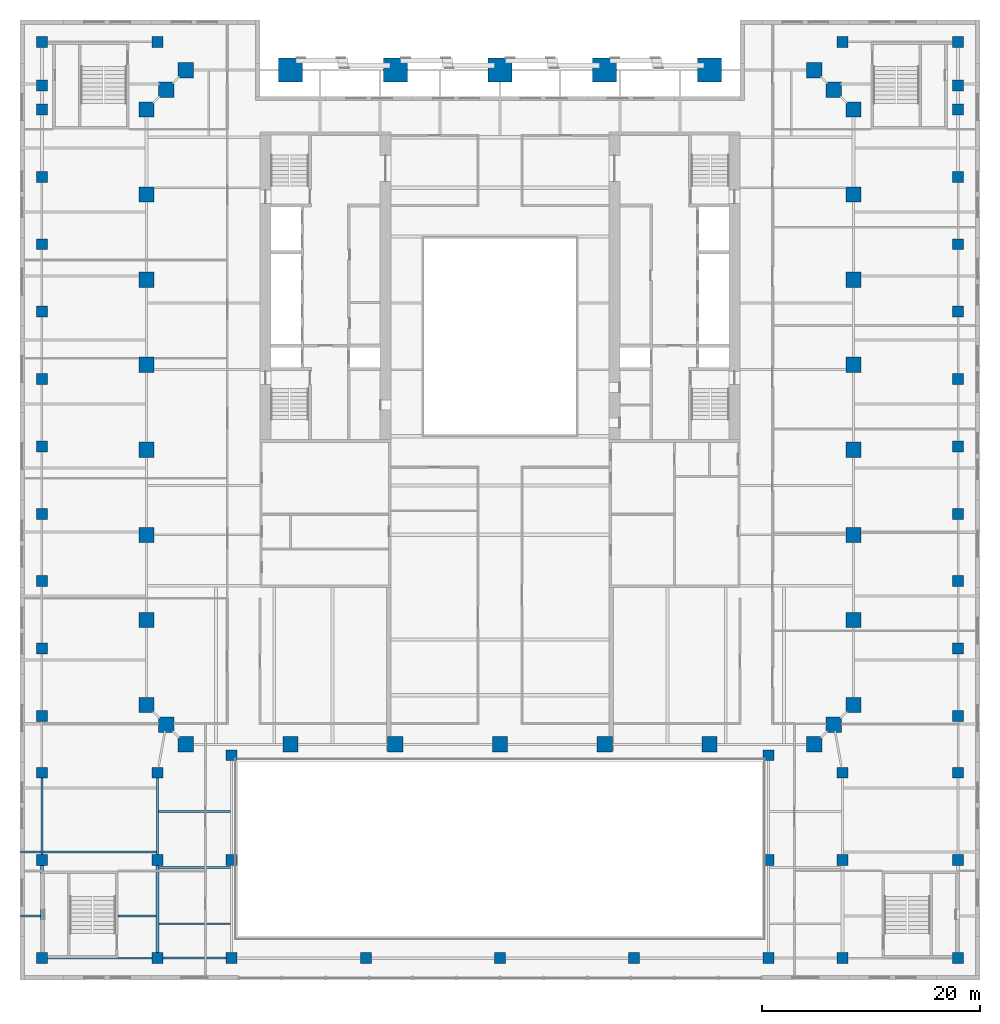
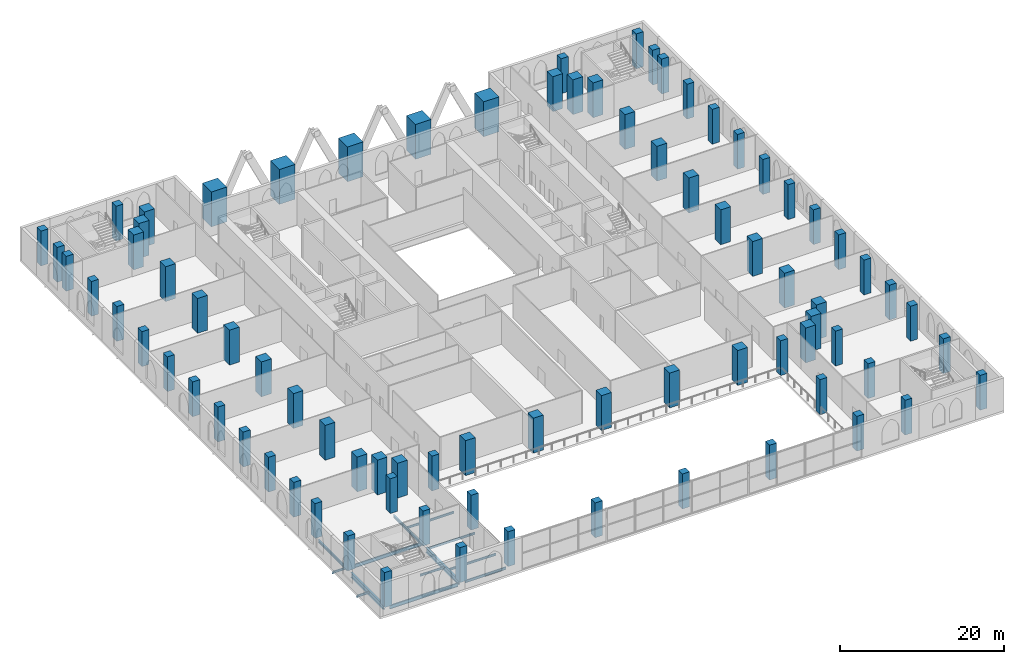
# One storey, part 1 of 22: 81 columns, 13 beams.
"""IFC4 building model written with IfcOpenShell, lengths in metres."""

from ifc_helpers import new_model, si_unit, direction, frame, origin, origin_2d, place, context, subcontext, project, spatial, rectangle, i_section, extrude, material, material_profile, profile_set, type_object, element, save


model = new_model("IFC4")

# Units and contexts
model_context = context("Model", 3, precision=1e-05, world=origin(), true_north=direction((0.0, 1.0)))
body_context = subcontext(model_context, "Body", "Model", "MODEL_VIEW")
ifc_project = project(units=[si_unit("LENGTHUNIT", "METRE"), si_unit("AREAUNIT", "SQUARE_METRE"), si_unit("VOLUMEUNIT", "CUBIC_METRE"), si_unit("PLANEANGLEUNIT", "RADIAN"), si_unit("MASSUNIT", "GRAM", prefix="KILO")], contexts=[model_context])

# Site, building, storey
site_placement = place(None, origin())
site = spatial("IfcSite", under=ifc_project, at=site_placement, CompositionType="ELEMENT")
building_placement = place(site_placement, origin())
building = spatial("IfcBuilding", under=site, at=building_placement, Name="Ogive Exchange Tower", CompositionType="ELEMENT")
storey_placement = place(building_placement, frame((0.0, 0.0, 14.0)))
storey = spatial("IfcBuildingStorey", under=building, at=storey_placement, Name="L02", CompositionType="ELEMENT", Elevation=14.0)

# Columns
ifc_material_1 = material(Name="Concrete C70/85", Category="concrete")
ifc_material_profile_1 = material_profile(ifc_material_1, rectangle(XDim=1.0, YDim=1.0, at=origin_2d()), Name="RC 1000x1000")
ifc_profile_set_1 = profile_set([ifc_material_profile_1], Name="Concrete C70/85")
column_type_1 = type_object("IfcColumnType", Name="RC column 1000x1000", PredefinedType="COLUMN", material=ifc_profile_set_1)
for number, where, z_axis, x_axis, name in (
    (1, (-42.0, -50.0, 0.0), (0.0, 0.0, 1.0), (1.0, 0.0, 0.0), "Podium column"),
    (2, (-31.39990234375, -50.0, 0.0), (0.0, 0.0, 1.0), (1.0, 0.0, 0.0), "Podium column"),
    (3, (-24.60009765625, -50.0, 0.0), (0.0, 0.0, 1.0), (1.0, 0.0, 0.0), "Podium column"),
    (4, (-12.300048828125, -50.0, 0.0), (0.0, 0.0, 1.0), (1.0, 0.0, 0.0), "Podium column"),
    (5, (0.0, -50.0, 0.0), (0.0, 0.0, 1.0), (1.0, 0.0, 0.0), "Podium column"),
    (6, (12.300048828125, -50.0, 0.0), (0.0, 0.0, 1.0), (1.0, 0.0, 0.0), "Podium column"),
    (7, (24.60009765625, -50.0, 0.0), (0.0, 0.0, 1.0), (1.0, 0.0, 0.0), "Podium column"),
    (8, (31.39990234375, -50.0, 0.0), (0.0, 0.0, 1.0), (1.0, 0.0, 0.0), "Podium column"),
    (9, (42.0, -50.0, 0.0), (0.0, 0.0, 1.0), (1.0, 0.0, 0.0), "Podium column"),
    (10, (-42.0, -41.0, 0.0), (0.0, 0.0, 1.0), (1.0, 0.0, 0.0), "Podium column"),
    (11, (-31.39990234375, -41.0, 0.0), (0.0, 0.0, 1.0), (1.0, 0.0, 0.0), "Podium column"),
    (12, (-24.60009765625, -41.0, 0.0), (0.0, 0.0, 1.0), (1.0, 0.0, 0.0), "Podium column"),
    (13, (24.60009765625, -41.0, 0.0), (0.0, 0.0, 1.0), (1.0, 0.0, 0.0), "Podium column"),
    (14, (31.39990234375, -41.0, 0.0), (0.0, 0.0, 1.0), (1.0, 0.0, 0.0), "Podium column"),
    (15, (42.0, -41.0, 0.0), (0.0, 0.0, 1.0), (1.0, 0.0, 0.0), "Podium column"),
    (16, (-42.0, -33.0, 0.0), (0.0, 0.0, 1.0), (1.0, 0.0, 0.0), "Podium column"),
    (17, (-31.39990234375, -33.0, 0.0), (0.0, 0.0, 1.0), (1.0, 0.0, 0.0), "Podium column"),
    (18, (31.39990234375, -33.0, 0.0), (0.0, 0.0, 1.0), (1.0, 0.0, 0.0), "Podium column"),
    (19, (42.0, -33.0, 0.0), (0.0, 0.0, 1.0), (1.0, 0.0, 0.0), "Podium column"),
    (20, (-24.60009765625, -31.39990234375, 0.0), (0.0, 0.0, 1.0), (1.0, 0.0, 0.0), "Podium column"),
    (21, (24.60009765625, -31.39990234375, 0.0), (0.0, 0.0, 1.0), (1.0, 0.0, 0.0), "Podium column"),
    (22, (-42.0, -27.800048828125, 0.0), (0.0, 0.0, 1.0), (1.0, 0.0, 0.0), "Podium column"),
    (23, (42.0, -27.800048828125, 0.0), (0.0, 0.0, 1.0), (1.0, 0.0, 0.0), "Podium column"),
    (24, (-42.0, -21.6201171875, 0.0), (0.0, 0.0, 1.0), (1.0, 0.0, 0.0), "Podium column"),
    (25, (42.0, -21.6201171875, 0.0), (0.0, 0.0, 1.0), (1.0, 0.0, 0.0), "Podium column"),
    (26, (-42.0, -15.43994140625, 0.0), (0.0, 0.0, 1.0), (1.0, 0.0, 0.0), "Podium column"),
    (27, (42.0, -15.43994140625, 0.0), (0.0, 0.0, 1.0), (1.0, 0.0, 0.0), "Podium column"),
    (28, (-42.0, -9.27001953125, 0.0), (0.0, 0.0, 1.0), (1.0, 0.0, 0.0), "Podium column"),
    (29, (42.0, -9.27001953125, 0.0), (0.0, 0.0, 1.0), (1.0, 0.0, 0.0), "Podium column"),
    (30, (-42.0, -3.090087890625, 0.0), (0.0, 0.0, 1.0), (1.0, 0.0, 0.0), "Podium column"),
    (31, (42.0, -3.090087890625, 0.0), (0.0, 0.0, 1.0), (1.0, 0.0, 0.0), "Podium column"),
    (32, (-42.0, 3.090087890625, 0.0), (0.0, 0.0, 1.0), (1.0, 0.0, 0.0), "Podium column"),
    (33, (42.0, 3.090087890625, 0.0), (0.0, 0.0, 1.0), (1.0, 0.0, 0.0), "Podium column"),
    (34, (-42.0, 9.27001953125, 0.0), (0.0, 0.0, 1.0), (1.0, 0.0, 0.0), "Podium column"),
    (35, (42.0, 9.27001953125, 0.0), (0.0, 0.0, 1.0), (1.0, 0.0, 0.0), "Podium column"),
    (36, (-42.0, 15.43994140625, 0.0), (0.0, 0.0, 1.0), (1.0, 0.0, 0.0), "Podium column"),
    (37, (42.0, 15.43994140625, 0.0), (0.0, 0.0, 1.0), (1.0, 0.0, 0.0), "Podium column"),
    (38, (-42.0, 21.6201171875, 0.0), (0.0, 0.0, 1.0), (1.0, 0.0, 0.0), "Podium column"),
    (39, (42.0, 21.6201171875, 0.0), (0.0, 0.0, 1.0), (1.0, 0.0, 0.0), "Podium column"),
    (40, (-42.0, 27.800048828125, 0.0), (0.0, 0.0, 1.0), (1.0, 0.0, 0.0), "Podium column"),
    (41, (42.0, 27.800048828125, 0.0), (0.0, 0.0, 1.0), (1.0, 0.0, 0.0), "Podium column"),
    (42, (-42.0, 30.0, 0.0), (0.0, 0.0, 1.0), (1.0, 0.0, 0.0), "Podium column"),
    (43, (42.0, 30.0, 0.0), (0.0, 0.0, 1.0), (1.0, 0.0, 0.0), "Podium column"),
    (44, (-42.0, 34.0, 0.0), (0.0, 0.0, 1.0), (1.0, 0.0, 0.0), "Podium column"),
    (45, (-31.39990234375, 34.0, 0.0), (0.0, 0.0, 1.0), (1.0, 0.0, 0.0), "Podium column"),
    (46, (31.39990234375, 34.0, 0.0), (0.0, 0.0, 1.0), (1.0, 0.0, 0.0), "Podium column"),
    (47, (42.0, 34.0, 0.0), (0.0, 0.0, 1.0), (1.0, 0.0, 0.0), "Podium column"),
):
    element("IfcColumn", number, at=place(storey_placement, frame(where, z_axis=z_axis, x_axis=x_axis)), inside=storey, type_object=column_type_1, Name=name, PredefinedType="COLUMN", context=body_context, shape_type="SweptSolid", body=[
        extrude(rectangle(XDim=1.0, YDim=1.0, at=origin_2d()), origin(), (0.0, 0.0, 1.0), 5.199951171875),
    ])
ifc_material_profile_2 = material_profile(ifc_material_1, rectangle(XDim=1.39990234375, YDim=1.39990234375, at=origin_2d()), Name="RC 1400x1400")
ifc_profile_set_2 = profile_set([ifc_material_profile_2], Name="Concrete C70/85")
column_type_2 = type_object("IfcColumnType", Name="RC column 1400x1400", PredefinedType="COLUMN", material=ifc_profile_set_2)
for number, where, z_axis, x_axis, name in (
    (48, (-28.800048828125, -30.39990234375, 0.0), (0.0, 0.0, 1.0), (1.0, 0.0, 0.0), "Leg column"),
    (49, (-19.199951171875, -30.39990234375, 0.0), (0.0, 0.0, 1.0), (1.0, 0.0, 0.0), "Leg column"),
    (50, (-9.60009765625, -30.39990234375, 0.0), (0.0, 0.0, 1.0), (1.0, 0.0, 0.0), "Leg column"),
    (51, (0.0, -30.39990234375, 0.0), (0.0, 0.0, 1.0), (1.0, 0.0, 0.0), "Leg column"),
    (52, (9.60009765625, -30.39990234375, 0.0), (0.0, 0.0, 1.0), (1.0, 0.0, 0.0), "Leg column"),
    (53, (19.199951171875, -30.39990234375, 0.0), (0.0, 0.0, 1.0), (1.0, 0.0, 0.0), "Leg column"),
    (54, (28.800048828125, -30.39990234375, 0.0), (0.0, 0.0, 1.0), (1.0, 0.0, 0.0), "Leg column"),
    (55, (-30.60009765625, -28.60009765625, 0.0), (0.0, 0.0, 1.0), (1.0, 0.0, 0.0), "Leg column"),
    (56, (30.60009765625, -28.60009765625, 0.0), (0.0, 0.0, 1.0), (1.0, 0.0, 0.0), "Leg column"),
    (57, (-32.39990234375, -26.800048828125, 0.0), (0.0, 0.0, 1.0), (1.0, 0.0, 0.0), "Leg column"),
    (58, (32.39990234375, -26.800048828125, 0.0), (0.0, 0.0, 1.0), (1.0, 0.0, 0.0), "Leg column"),
    (59, (-32.39990234375, -19.0, 0.0), (0.0, 0.0, 1.0), (1.0, 0.0, 0.0), "Leg column"),
    (60, (32.39990234375, -19.0, 0.0), (0.0, 0.0, 1.0), (1.0, 0.0, 0.0), "Leg column"),
    (61, (-32.39990234375, -11.199951171875, 0.0), (0.0, 0.0, 1.0), (1.0, 0.0, 0.0), "Leg column"),
    (62, (32.39990234375, -11.199951171875, 0.0), (0.0, 0.0, 1.0), (1.0, 0.0, 0.0), "Leg column"),
    (63, (-32.39990234375, -3.39990234375, 0.0), (0.0, 0.0, 1.0), (1.0, 0.0, 0.0), "Leg column"),
    (64, (32.39990234375, -3.39990234375, 0.0), (0.0, 0.0, 1.0), (1.0, 0.0, 0.0), "Leg column"),
    (65, (-32.39990234375, 4.39990234375, 0.0), (0.0, 0.0, 1.0), (1.0, 0.0, 0.0), "Leg column"),
    (66, (32.39990234375, 4.39990234375, 0.0), (0.0, 0.0, 1.0), (1.0, 0.0, 0.0), "Leg column"),
    (67, (-32.39990234375, 12.199951171875, 0.0), (0.0, 0.0, 1.0), (1.0, 0.0, 0.0), "Leg column"),
    (68, (32.39990234375, 12.199951171875, 0.0), (0.0, 0.0, 1.0), (1.0, 0.0, 0.0), "Leg column"),
    (69, (-32.39990234375, 20.0, 0.0), (0.0, 0.0, 1.0), (1.0, 0.0, 0.0), "Leg column"),
    (70, (32.39990234375, 20.0, 0.0), (0.0, 0.0, 1.0), (1.0, 0.0, 0.0), "Leg column"),
    (71, (-32.39990234375, 27.800048828125, 0.0), (0.0, 0.0, 1.0), (1.0, 0.0, 0.0), "Leg column"),
    (72, (32.39990234375, 27.800048828125, 0.0), (0.0, 0.0, 1.0), (1.0, 0.0, 0.0), "Leg column"),
    (73, (-30.60009765625, 29.60009765625, 0.0), (0.0, 0.0, 1.0), (1.0, 0.0, 0.0), "Leg column"),
    (74, (30.60009765625, 29.60009765625, 0.0), (0.0, 0.0, 1.0), (1.0, 0.0, 0.0), "Leg column"),
    (75, (-28.800048828125, 31.39990234375, 0.0), (0.0, 0.0, 1.0), (1.0, 0.0, 0.0), "Leg column"),
    (76, (28.800048828125, 31.39990234375, 0.0), (0.0, 0.0, 1.0), (1.0, 0.0, 0.0), "Leg column"),
):
    element("IfcColumn", number, at=place(storey_placement, frame(where, z_axis=z_axis, x_axis=x_axis)), inside=storey, type_object=column_type_2, Name=name, PredefinedType="COLUMN", context=body_context, shape_type="SweptSolid", body=[
        extrude(rectangle(XDim=1.39990234375, YDim=1.39990234375, at=origin_2d()), origin(), (0.0, 0.0, 1.0), 5.199951171875),
    ])
ifc_material_profile_3 = material_profile(ifc_material_1, rectangle(XDim=2.199951171875, YDim=2.199951171875, at=origin_2d()), Name="RC 2200x2200")
ifc_profile_set_3 = profile_set([ifc_material_profile_3], Name="Concrete C70/85")
column_type_3 = type_object("IfcColumnType", Name="RC pier 2200x2200", PredefinedType="COLUMN", material=ifc_profile_set_3)
for number, where, z_axis, x_axis, name in (
    (77, (-19.199951171875, 31.39990234375, 0.0), (0.0, 0.0, 1.0), (1.0, 0.0, 0.0), "Entrance pier"),
    (78, (-9.60009765625, 31.39990234375, 0.0), (0.0, 0.0, 1.0), (1.0, 0.0, 0.0), "Entrance pier"),
    (79, (0.0, 31.39990234375, 0.0), (0.0, 0.0, 1.0), (1.0, 0.0, 0.0), "Entrance pier"),
    (80, (9.60009765625, 31.39990234375, 0.0), (0.0, 0.0, 1.0), (1.0, 0.0, 0.0), "Entrance pier"),
    (81, (19.199951171875, 31.39990234375, 0.0), (0.0, 0.0, 1.0), (1.0, 0.0, 0.0), "Entrance pier"),
):
    element("IfcColumn", number, at=place(storey_placement, frame(where, z_axis=z_axis, x_axis=x_axis)), inside=storey, type_object=column_type_3, Name=name, PredefinedType="COLUMN", context=body_context, shape_type="SweptSolid", body=[
        extrude(rectangle(XDim=2.199951171875, YDim=2.199951171875, at=origin_2d()), origin(), (0.0, 0.0, 1.0), 5.199951171875),
    ])

# Beams
ifc_material_2 = material(Name="Steel ASTM A992 Gr50", Category="steel")
ifc_material_profile_4 = material_profile(ifc_material_2, i_section(OverallWidth=0.1650390625, OverallDepth=0.31005859375, WebThickness=0.005859375, FlangeThickness=0.009765625, at=origin_2d()), Name="W310x38.7")
ifc_profile_set_4 = profile_set([ifc_material_profile_4], Name="Steel ASTM A992 Gr50")
beam_type_1 = type_object("IfcBeamType", Name="Floor beam W310x38.7", PredefinedType="JOIST", material=ifc_profile_set_4)
beam_1_placement = place(storey_placement, frame((-43.949951171875, -46.13330078125, -0.455078125), z_axis=(1.0, 0.0, 0.0), x_axis=(0.0, 1.0, 0.0)))
element("IfcBeam", 82, at=beam_1_placement, inside=storey, type_object=beam_type_1, Name="Floor beam", PredefinedType="JOIST", context=body_context, shape_type="SweptSolid", body=[
    extrude(i_section(OverallWidth=0.1650390625, OverallDepth=0.31005859375, WebThickness=0.005859375, FlangeThickness=0.009765625, at=origin_2d()), origin(), (0.0, 0.0, 1.0), 1.81640625),
])
beam_2_placement = place(storey_placement, frame((-35.0, -46.13330078125, -0.455078125), z_axis=(1.0, 0.0, 0.0), x_axis=(0.0, 1.0, 0.0)))
element("IfcBeam", 83, at=beam_2_placement, inside=storey, type_object=beam_type_1, Name="Floor beam", PredefinedType="JOIST", context=body_context, shape_type="SweptSolid", body=[
    extrude(i_section(OverallWidth=0.1650390625, OverallDepth=0.31005859375, WebThickness=0.005859375, FlangeThickness=0.009765625, at=origin_2d()), origin(), (0.0, 0.0, 1.0), 3.466552734375),
])
beam_3_placement = place(storey_placement, frame((-43.949951171875, -40.2666015625, -0.455078125), z_axis=(1.0, 0.0, 0.0), x_axis=(0.0, 1.0, 0.0)))
element("IfcBeam", 84, at=beam_3_placement, inside=storey, type_object=beam_type_1, Name="Floor beam", PredefinedType="JOIST", context=body_context, shape_type="SweptSolid", body=[
    extrude(i_section(OverallWidth=0.1650390625, OverallDepth=0.31005859375, WebThickness=0.005859375, FlangeThickness=0.009765625, at=origin_2d()), origin(), (0.0, 0.0, 1.0), 1.86083984375),
])
for number, where, z_axis, x_axis, name in (
    (85, (-31.2666015625, -46.85009765625, -0.455078125), (1.0, 0.0, 0.0), (0.0, 1.0, 0.0), "Floor beam"),
    (86, (-31.2666015625, -41.699951171875, -0.455078125), (1.0, 0.0, 0.0), (0.0, 1.0, 0.0), "Floor beam"),
):
    element("IfcBeam", number, at=place(storey_placement, frame(where, z_axis=z_axis, x_axis=x_axis)), inside=storey, type_object=beam_type_1, Name=name, PredefinedType="JOIST", context=body_context, shape_type="SweptSolid", body=[
        extrude(i_section(OverallWidth=0.1650390625, OverallDepth=0.31005859375, WebThickness=0.005859375, FlangeThickness=0.009765625, at=origin_2d()), origin(), (0.0, 0.0, 1.0), 6.571044921875),
    ])
beam_4_placement = place(storey_placement, frame((-31.31103515625, -36.550048828125, -0.455078125), z_axis=(1.0, 0.0, 0.0), x_axis=(0.0, 1.0, 0.0)))
element("IfcBeam", 87, at=beam_4_placement, inside=storey, type_object=beam_type_1, Name="Floor beam", PredefinedType="JOIST", context=body_context, shape_type="SweptSolid", body=[
    extrude(i_section(OverallWidth=0.1650390625, OverallDepth=0.31005859375, WebThickness=0.005859375, FlangeThickness=0.009765625, at=origin_2d()), origin(), (0.0, 0.0, 1.0), 6.62744140625),
])
ifc_material_profile_5 = material_profile(ifc_material_2, i_section(OverallWidth=0.1669921875, OverallDepth=0.535888671875, WebThickness=0.01025390625, FlangeThickness=0.0166015625, at=origin_2d()), Name="W530x85")
ifc_profile_set_5 = profile_set([ifc_material_profile_5], Name="Steel ASTM A992 Gr50")
beam_type_2 = type_object("IfcBeamType", Name="Floor beam W530x85", PredefinedType="JOIST", material=ifc_profile_set_5)
beam_5_placement = place(storey_placement, frame((-41.910888671875, -40.2666015625, -0.568115234375), z_axis=(1.0, 0.0, 0.0), x_axis=(0.0, 1.0, 0.0)))
element("IfcBeam", 88, at=beam_5_placement, inside=storey, type_object=beam_type_2, Name="Floor beam", PredefinedType="JOIST", context=body_context, shape_type="SweptSolid", body=[
    extrude(i_section(OverallWidth=0.1669921875, OverallDepth=0.535888671875, WebThickness=0.01025390625, FlangeThickness=0.0166015625, at=origin_2d()), origin(), (0.0, 0.0, 1.0), 10.421875),
])
ifc_material_profile_6 = material_profile(ifc_material_2, i_section(OverallWidth=0.1708984375, OverallDepth=0.35595703125, WebThickness=0.00732421875, FlangeThickness=0.01171875, at=origin_2d()), Name="W360x51")
ifc_profile_set_6 = profile_set([ifc_material_profile_6], Name="Steel ASTM A992 Gr50")
beam_type_3 = type_object("IfcBeamType", Name="Girder W360x51", PredefinedType="BEAM", material=ifc_profile_set_6)
beam_6_placement = place(storey_placement, frame((-30.89990234375, -50.0, -0.47802734375), z_axis=(1.0, 0.0, 0.0), x_axis=(0.0, 1.0, 0.0)))
element("IfcBeam", 89, at=beam_6_placement, inside=storey, type_object=beam_type_3, Name="Girder", PredefinedType="BEAM", context=body_context, shape_type="SweptSolid", body=[
    extrude(i_section(OverallWidth=0.1708984375, OverallDepth=0.35595703125, WebThickness=0.00732421875, FlangeThickness=0.01171875, at=origin_2d()), origin(), (0.0, 0.0, 1.0), 5.7998046875),
])
ifc_material_profile_7 = material_profile(ifc_material_2, i_section(OverallWidth=0.177978515625, OverallDepth=0.406005859375, WebThickness=0.0078125, FlangeThickness=0.0126953125, at=origin_2d()), Name="W410x60")
ifc_profile_set_7 = profile_set([ifc_material_profile_7], Name="Steel ASTM A992 Gr50")
beam_type_4 = type_object("IfcBeamType", Name="Girder W410x60", PredefinedType="BEAM", material=ifc_profile_set_7)
for number, where, z_axis, x_axis, name in (
    (90, (-31.39990234375, -40.5, -0.5029296875), (0.0, 1.0, 0.0), (-1.0, 0.0, 0.0), "Girder"),
    (91, (-42.0, -40.5, -0.5029296875), (0.0, 1.0, 0.0), (-1.0, 0.0, 0.0), "Girder"),
):
    element("IfcBeam", number, at=place(storey_placement, frame(where, z_axis=z_axis, x_axis=x_axis)), inside=storey, type_object=beam_type_4, Name=name, PredefinedType="BEAM", context=body_context, shape_type="SweptSolid", body=[
        extrude(i_section(OverallWidth=0.177978515625, OverallDepth=0.406005859375, WebThickness=0.0078125, FlangeThickness=0.0126953125, at=origin_2d()), origin(), (0.0, 0.0, 1.0), 7.0),
    ])
ifc_material_profile_8 = material_profile(ifc_material_2, i_section(OverallWidth=0.1669921875, OverallDepth=0.535888671875, WebThickness=0.01025390625, FlangeThickness=0.0166015625, at=origin_2d()), Name="W530x85")
ifc_profile_set_8 = profile_set([ifc_material_profile_8], Name="Steel ASTM A992 Gr50")
beam_type_5 = type_object("IfcBeamType", Name="Girder W530x85", PredefinedType="BEAM", material=ifc_profile_set_8)
beam_7_placement = place(storey_placement, frame((-41.5, -50.0, -0.568115234375), z_axis=(1.0, 0.0, 0.0), x_axis=(0.0, 1.0, 0.0)))
element("IfcBeam", 92, at=beam_7_placement, inside=storey, type_object=beam_type_5, Name="Girder", PredefinedType="BEAM", context=body_context, shape_type="SweptSolid", body=[
    extrude(i_section(OverallWidth=0.1669921875, OverallDepth=0.535888671875, WebThickness=0.01025390625, FlangeThickness=0.0166015625, at=origin_2d()), origin(), (0.0, 0.0, 1.0), 9.60009765625),
])
ifc_material_profile_9 = material_profile(ifc_material_2, i_section(OverallWidth=0.26708984375, OverallDepth=0.75390625, WebThickness=0.01318359375, FlangeThickness=0.01708984375, at=origin_2d()), Name="W760x147")
ifc_profile_set_9 = profile_set([ifc_material_profile_9], Name="Steel ASTM A992 Gr50")
beam_type_6 = type_object("IfcBeamType", Name="Girder W760x147", PredefinedType="BEAM", material=ifc_profile_set_9)
for number, where, z_axis, x_axis, name in (
    (93, (-31.39990234375, -49.5, -0.677001953125), (0.0, 1.0, 0.0), (-1.0, 0.0, 0.0), "Girder"),
    (94, (-42.0, -49.5, -0.677001953125), (0.0, 1.0, 0.0), (-1.0, 0.0, 0.0), "Girder"),
):
    element("IfcBeam", number, at=place(storey_placement, frame(where, z_axis=z_axis, x_axis=x_axis)), inside=storey, type_object=beam_type_6, Name=name, PredefinedType="BEAM", context=body_context, shape_type="SweptSolid", body=[
        extrude(i_section(OverallWidth=0.26708984375, OverallDepth=0.75390625, WebThickness=0.01318359375, FlangeThickness=0.01708984375, at=origin_2d()), origin(), (0.0, 0.0, 1.0), 8.0),
    ])

save(model, "model.ifc")
